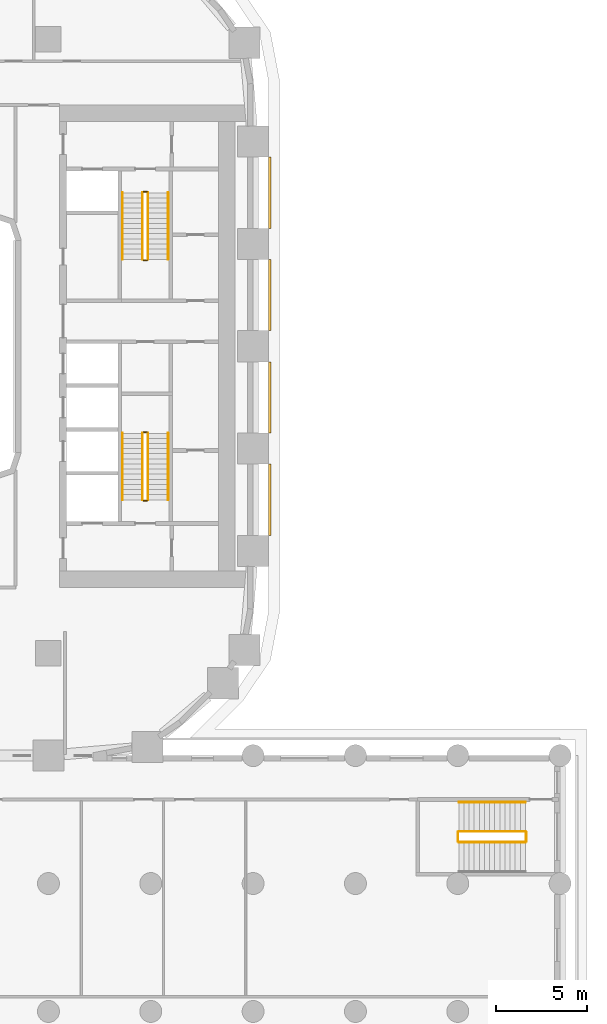
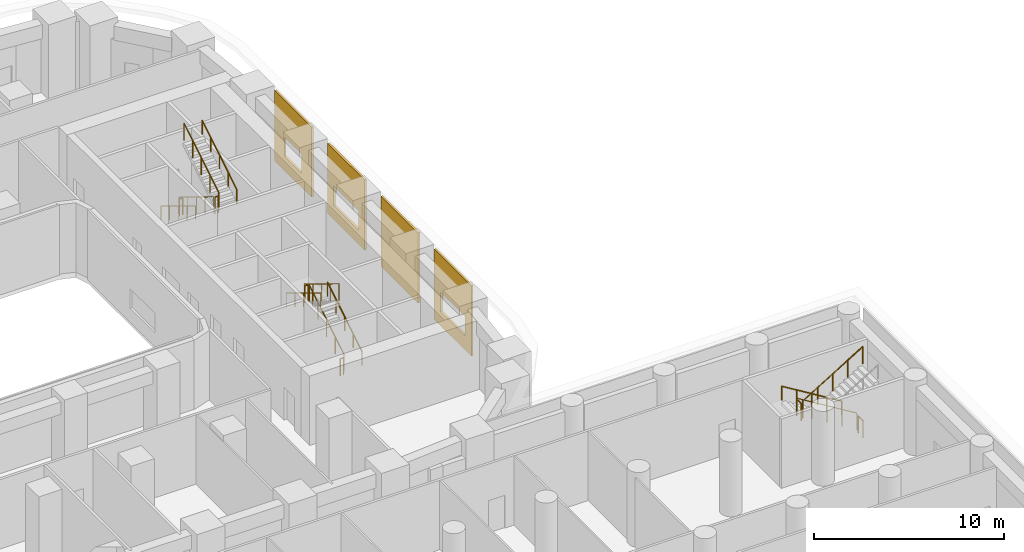
# One storey, part 26 of 27: 17 railings, 4 coverings.
"""IFC4 building model written with IfcOpenShell, lengths in metres."""

from ifc_helpers import new_model, si_unit, direction, frame, origin, origin_2d, place, context, subcontext, project, spatial, polyline, circle, outline, extrude, material, layer, layer_set, type_object, element, save


model = new_model("IFC4")

# Units and contexts
model_context = context("Model", 3, precision=1e-05, world=origin(), true_north=direction((0.0, 1.0)))
body_context = subcontext(model_context, "Body", "Model", "MODEL_VIEW")
ifc_project = project(units=[si_unit("LENGTHUNIT", "METRE"), si_unit("AREAUNIT", "SQUARE_METRE"), si_unit("VOLUMEUNIT", "CUBIC_METRE"), si_unit("PLANEANGLEUNIT", "RADIAN"), si_unit("MASSUNIT", "GRAM", prefix="KILO")], contexts=[model_context])

# Site, building, storey
site_placement = place(None, origin())
site = spatial("IfcSite", under=ifc_project, at=site_placement, CompositionType="ELEMENT")
building_placement = place(site_placement, origin())
building = spatial("IfcBuilding", under=site, at=building_placement, Name="Kiln Ring Residences", CompositionType="ELEMENT")
storey_placement = place(building_placement, frame((0.0, 0.0, 6.5)))
storey = spatial("IfcBuildingStorey", under=building, at=storey_placement, Name="L01", CompositionType="ELEMENT", Elevation=6.5)

# Railings
ifc_material_1 = material(Name="Stainless steel", Category="steel")
railing_type_1 = type_object("IfcRailingType", Name="CORE-STAIR-GUARD", PredefinedType="GUARDRAIL", material=ifc_material_1)
railing_1_placement = place(storey_placement, frame((21.949951171875, 8.39990234375, 0.17138671875)))
element("IfcRailing", 1, at=railing_1_placement, inside=storey, type_object=railing_type_1, Name="L01 E-STN stair guard 1", PredefinedType="GUARDRAIL", context=body_context, shape_type="SweptSolid", body=[
    extrude(circle(Radius=0.02392578125, at=origin_2d()), frame((0.0, 0.0, 1.076171875), z_axis=(0.0, -0.852850264322, 0.5221555579), x_axis=(1.0, 0.0, 0.0)), (0.0, 0.0, 1.0), 4.267822265625),
    extrude(circle(Radius=0.02099609375, at=origin_2d()), origin(), (0.0, 0.0, 1.0), 1.052001953125),
    extrude(circle(Radius=0.02099609375, at=origin_2d()), frame((0.0, -0.909912109375, 0.55712890625)), (0.0, 0.0, 1.0), 1.052001953125),
    extrude(circle(Radius=0.02099609375, at=origin_2d()), frame((0.0, -1.81982421875, 1.1142578125)), (0.0, 0.0, 1.0), 1.052001953125),
    extrude(circle(Radius=0.02099609375, at=origin_2d()), frame((0.0, -2.72998046875, 1.67138671875)), (0.0, 0.0, 1.0), 1.052001953125),
    extrude(circle(Radius=0.02099609375, at=origin_2d()), frame((0.0, -3.639892578125, 2.228515625)), (0.0, 0.0, 1.0), 1.052001953125),
])
railing_2_placement = place(storey_placement, frame((22.0, 4.7099609375, 2.39990234375)))
element("IfcRailing", 2, at=railing_2_placement, inside=storey, type_object=railing_type_1, Name="L01 E-STN stair guard 2", PredefinedType="GUARDRAIL", context=body_context, shape_type="SweptSolid", body=[
    extrude(circle(Radius=0.02392578125, at=origin_2d()), frame((0.0, 0.0, 1.076171875), z_axis=(1.0, 0.0, 0.0), x_axis=(0.0, 1.0, 0.0)), (0.0, 0.0, 1.0), 0.199951171875),
    extrude(circle(Radius=0.02099609375, at=origin_2d()), origin(), (0.0, 0.0, 1.0), 1.052001953125),
    extrude(circle(Radius=0.02099609375, at=origin_2d()), frame((0.199951171875, 0.0, 0.0)), (0.0, 0.0, 1.0), 1.052001953125),
])
railing_3_placement = place(storey_placement, frame((22.25, 4.760009765625, 2.571533203125)))
element("IfcRailing", 3, at=railing_3_placement, inside=storey, type_object=railing_type_1, Name="L01 E-STN stair guard 3", PredefinedType="GUARDRAIL", context=body_context, shape_type="SweptSolid", body=[
    extrude(circle(Radius=0.02392578125, at=origin_2d()), frame((0.0, 0.0, 1.076171875), z_axis=(0.0, 0.852850264322, 0.5221555579), x_axis=(-1.0, 0.0, 0.0)), (0.0, 0.0, 1.0), 4.267822265625),
    extrude(circle(Radius=0.02099609375, at=origin_2d()), origin(), (0.0, 0.0, 1.0), 1.052001953125),
    extrude(circle(Radius=0.02099609375, at=origin_2d()), frame((0.0, 0.909912109375, 0.55712890625)), (0.0, 0.0, 1.0), 1.052001953125),
    extrude(circle(Radius=0.02099609375, at=origin_2d()), frame((0.0, 1.81982421875, 1.1142578125)), (0.0, 0.0, 1.0), 1.052001953125),
    extrude(circle(Radius=0.02099609375, at=origin_2d()), frame((0.0, 2.72998046875, 1.67138671875)), (0.0, 0.0, 1.0), 1.052001953125),
    extrude(circle(Radius=0.02099609375, at=origin_2d()), frame((0.0, 3.639892578125, 2.228515625)), (0.0, 0.0, 1.0), 1.052001953125),
])
railing_4_placement = place(storey_placement, frame((22.0, 8.449951171875, 0.0)))
element("IfcRailing", 4, at=railing_4_placement, inside=storey, type_object=railing_type_1, Name="L01 E-STN stair guard 4", PredefinedType="GUARDRAIL", context=body_context, shape_type="SweptSolid", body=[
    extrude(circle(Radius=0.02392578125, at=origin_2d()), frame((0.0, 0.0, 1.076171875), z_axis=(1.0, 0.0, 0.0), x_axis=(0.0, 1.0, 0.0)), (0.0, 0.0, 1.0), 0.199951171875),
    extrude(circle(Radius=0.02099609375, at=origin_2d()), origin(), (0.0, 0.0, 1.0), 1.052001953125),
    extrude(circle(Radius=0.02099609375, at=origin_2d()), frame((0.199951171875, 0.0, 0.0)), (0.0, 0.0, 1.0), 1.052001953125),
])
railing_5_placement = place(storey_placement, frame((22.25, -8.39990234375, 0.17138671875)))
element("IfcRailing", 5, at=railing_5_placement, inside=storey, type_object=railing_type_1, Name="L01 E-STS stair guard 1", PredefinedType="GUARDRAIL", context=body_context, shape_type="SweptSolid", body=[
    extrude(circle(Radius=0.02392578125, at=origin_2d()), frame((0.0, 0.0, 1.076171875), z_axis=(0.0, 0.852850264322, 0.5221555579), x_axis=(-1.0, 0.0, 0.0)), (0.0, 0.0, 1.0), 4.267822265625),
    extrude(circle(Radius=0.02099609375, at=origin_2d()), origin(), (0.0, 0.0, 1.0), 1.052001953125),
    extrude(circle(Radius=0.02099609375, at=origin_2d()), frame((0.0, 0.909912109375, 0.55712890625)), (0.0, 0.0, 1.0), 1.052001953125),
    extrude(circle(Radius=0.02099609375, at=origin_2d()), frame((0.0, 1.81982421875, 1.1142578125)), (0.0, 0.0, 1.0), 1.052001953125),
    extrude(circle(Radius=0.02099609375, at=origin_2d()), frame((0.0, 2.72998046875, 1.67138671875)), (0.0, 0.0, 1.0), 1.052001953125),
    extrude(circle(Radius=0.02099609375, at=origin_2d()), frame((0.0, 3.639892578125, 2.228515625)), (0.0, 0.0, 1.0), 1.052001953125),
])
railing_6_placement = place(storey_placement, frame((22.199951171875, -4.7099609375, 2.39990234375)))
element("IfcRailing", 6, at=railing_6_placement, inside=storey, type_object=railing_type_1, Name="L01 E-STS stair guard 2", PredefinedType="GUARDRAIL", context=body_context, shape_type="SweptSolid", body=[
    extrude(circle(Radius=0.02392578125, at=origin_2d()), frame((0.0, 0.0, 1.076171875), z_axis=(-1.0, 0.0, 0.0), x_axis=(0.0, -1.0, 0.0)), (0.0, 0.0, 1.0), 0.199951171875),
    extrude(circle(Radius=0.02099609375, at=origin_2d()), origin(), (0.0, 0.0, 1.0), 1.052001953125),
    extrude(circle(Radius=0.02099609375, at=origin_2d()), frame((-0.199951171875, 0.0, 0.0)), (0.0, 0.0, 1.0), 1.052001953125),
])
railing_7_placement = place(storey_placement, frame((21.949951171875, -4.760009765625, 2.571533203125)))
element("IfcRailing", 7, at=railing_7_placement, inside=storey, type_object=railing_type_1, Name="L01 E-STS stair guard 3", PredefinedType="GUARDRAIL", context=body_context, shape_type="SweptSolid", body=[
    extrude(circle(Radius=0.02392578125, at=origin_2d()), frame((0.0, 0.0, 1.076171875), z_axis=(0.0, -0.852850264322, 0.5221555579), x_axis=(1.0, 0.0, 0.0)), (0.0, 0.0, 1.0), 4.267822265625),
    extrude(circle(Radius=0.02099609375, at=origin_2d()), origin(), (0.0, 0.0, 1.0), 1.052001953125),
    extrude(circle(Radius=0.02099609375, at=origin_2d()), frame((0.0, -0.909912109375, 0.55712890625)), (0.0, 0.0, 1.0), 1.052001953125),
    extrude(circle(Radius=0.02099609375, at=origin_2d()), frame((0.0, -1.81982421875, 1.1142578125)), (0.0, 0.0, 1.0), 1.052001953125),
    extrude(circle(Radius=0.02099609375, at=origin_2d()), frame((0.0, -2.72998046875, 1.67138671875)), (0.0, 0.0, 1.0), 1.052001953125),
    extrude(circle(Radius=0.02099609375, at=origin_2d()), frame((0.0, -3.639892578125, 2.228515625)), (0.0, 0.0, 1.0), 1.052001953125),
])
railing_8_placement = place(storey_placement, frame((22.199951171875, -8.449951171875, 0.0)))
element("IfcRailing", 8, at=railing_8_placement, inside=storey, type_object=railing_type_1, Name="L01 E-STS stair guard 4", PredefinedType="GUARDRAIL", context=body_context, shape_type="SweptSolid", body=[
    extrude(circle(Radius=0.02392578125, at=origin_2d()), frame((0.0, 0.0, 1.076171875), z_axis=(-1.0, 0.0, 0.0), x_axis=(0.0, -1.0, 0.0)), (0.0, 0.0, 1.0), 0.199951171875),
    extrude(circle(Radius=0.02099609375, at=origin_2d()), origin(), (0.0, 0.0, 1.0), 1.052001953125),
    extrude(circle(Radius=0.02099609375, at=origin_2d()), frame((-0.199951171875, 0.0, 0.0)), (0.0, 0.0, 1.0), 1.052001953125),
])
ifc_material_2 = material(Name="Stainless steel", Category="steel")
railing_type_2 = type_object("IfcRailingType", Name="CORE-STAIR-HANDRAIL", PredefinedType="HANDRAIL", material=ifc_material_2)
railing_9_placement = place(storey_placement, frame((20.85009765625, 8.39990234375, 0.17138671875)))
element("IfcRailing", 9, at=railing_9_placement, inside=storey, type_object=railing_type_2, Name="L01 E-STN stair handrail 1", PredefinedType="HANDRAIL", context=body_context, shape_type="SweptSolid", body=[
    extrude(circle(Radius=0.02392578125, at=origin_2d()), frame((0.0, 0.0, 0.8759765625), z_axis=(0.0, -0.852850264322, 0.5221555579), x_axis=(1.0, 0.0, 0.0)), (0.0, 0.0, 1.0), 4.267822265625),
    extrude(circle(Radius=0.02099609375, at=origin_2d()), origin(), (0.0, 0.0, 1.0), 0.851806640625),
    extrude(circle(Radius=0.02099609375, at=origin_2d()), frame((0.0, -0.909912109375, 0.55712890625)), (0.0, 0.0, 1.0), 0.851806640625),
    extrude(circle(Radius=0.02099609375, at=origin_2d()), frame((0.0, -1.81982421875, 1.1142578125)), (0.0, 0.0, 1.0), 0.851806640625),
    extrude(circle(Radius=0.02099609375, at=origin_2d()), frame((0.0, -2.72998046875, 1.67138671875)), (0.0, 0.0, 1.0), 0.851806640625),
    extrude(circle(Radius=0.02099609375, at=origin_2d()), frame((0.0, -3.639892578125, 2.228515625)), (0.0, 0.0, 1.0), 0.851806640625),
])
for number, where, name in (
    (10, (23.35009765625, 4.760009765625, 2.571533203125), "L01 E-STN stair handrail 2"),
    (11, (23.35009765625, -8.39990234375, 0.17138671875), "L01 E-STS stair handrail 1"),
):
    element("IfcRailing", number, at=place(storey_placement, frame(where)), inside=storey, type_object=railing_type_2, Name=name, PredefinedType="HANDRAIL", context=body_context, shape_type="SweptSolid", body=[
        extrude(circle(Radius=0.02392578125, at=origin_2d()), frame((0.0, 0.0, 0.8759765625), z_axis=(0.0, 0.852850264322, 0.5221555579), x_axis=(-1.0, 0.0, 0.0)), (0.0, 0.0, 1.0), 4.267822265625),
        extrude(circle(Radius=0.02099609375, at=origin_2d()), origin(), (0.0, 0.0, 1.0), 0.851806640625),
        extrude(circle(Radius=0.02099609375, at=origin_2d()), frame((0.0, 0.909912109375, 0.55712890625)), (0.0, 0.0, 1.0), 0.851806640625),
        extrude(circle(Radius=0.02099609375, at=origin_2d()), frame((0.0, 1.81982421875, 1.1142578125)), (0.0, 0.0, 1.0), 0.851806640625),
        extrude(circle(Radius=0.02099609375, at=origin_2d()), frame((0.0, 2.72998046875, 1.67138671875)), (0.0, 0.0, 1.0), 0.851806640625),
        extrude(circle(Radius=0.02099609375, at=origin_2d()), frame((0.0, 3.639892578125, 2.228515625)), (0.0, 0.0, 1.0), 0.851806640625),
    ])
railing_10_placement = place(storey_placement, frame((20.85009765625, -4.760009765625, 2.571533203125)))
element("IfcRailing", 12, at=railing_10_placement, inside=storey, type_object=railing_type_2, Name="L01 E-STS stair handrail 2", PredefinedType="HANDRAIL", context=body_context, shape_type="SweptSolid", body=[
    extrude(circle(Radius=0.02392578125, at=origin_2d()), frame((0.0, 0.0, 0.8759765625), z_axis=(0.0, -0.852850264322, 0.5221555579), x_axis=(1.0, 0.0, 0.0)), (0.0, 0.0, 1.0), 4.267822265625),
    extrude(circle(Radius=0.02099609375, at=origin_2d()), origin(), (0.0, 0.0, 1.0), 0.851806640625),
    extrude(circle(Radius=0.02099609375, at=origin_2d()), frame((0.0, -0.909912109375, 0.55712890625)), (0.0, 0.0, 1.0), 0.851806640625),
    extrude(circle(Radius=0.02099609375, at=origin_2d()), frame((0.0, -1.81982421875, 1.1142578125)), (0.0, 0.0, 1.0), 0.851806640625),
    extrude(circle(Radius=0.02099609375, at=origin_2d()), frame((0.0, -2.72998046875, 1.67138671875)), (0.0, 0.0, 1.0), 0.851806640625),
    extrude(circle(Radius=0.02099609375, at=origin_2d()), frame((0.0, -3.639892578125, 2.228515625)), (0.0, 0.0, 1.0), 0.851806640625),
])
ifc_material_3 = material(Name="Stainless steel", Category="steel")
railing_type_3 = type_object("IfcRailingType", Name="PODIUM-STAIR-GUARD", PredefinedType="GUARDRAIL", material=ifc_material_3)
railing_11_placement = place(storey_placement, frame((42.89990234375, -26.550048828125, 0.17138671875)))
element("IfcRailing", 13, at=railing_11_placement, inside=storey, type_object=railing_type_3, Name="L01 PS-E stair guard 1", PredefinedType="GUARDRAIL", context=body_context, shape_type="SweptSolid", body=[
    extrude(circle(Radius=0.02392578125, at=origin_2d()), frame((0.0, 0.0, 1.076171875), z_axis=(-0.852850264322, 0.0, 0.5221555579), x_axis=(0.0, -1.0, 0.0)), (0.0, 0.0, 1.0), 4.267822265625),
    extrude(circle(Radius=0.02099609375, at=origin_2d()), origin(), (0.0, 0.0, 1.0), 1.052001953125),
    extrude(circle(Radius=0.02099609375, at=origin_2d()), frame((-0.909912109375, 0.0, 0.55712890625)), (0.0, 0.0, 1.0), 1.052001953125),
    extrude(circle(Radius=0.02099609375, at=origin_2d()), frame((-1.81982421875, 0.0, 1.1142578125)), (0.0, 0.0, 1.0), 1.052001953125),
    extrude(circle(Radius=0.02099609375, at=origin_2d()), frame((-2.72998046875, 0.0, 1.67138671875)), (0.0, 0.0, 1.0), 1.052001953125),
    extrude(circle(Radius=0.02099609375, at=origin_2d()), frame((-3.639892578125, 0.0, 2.228515625)), (0.0, 0.0, 1.0), 1.052001953125),
])
railing_12_placement = place(storey_placement, frame((39.2099609375, -26.60009765625, 2.39990234375)))
element("IfcRailing", 14, at=railing_12_placement, inside=storey, type_object=railing_type_3, Name="L01 PS-E stair guard 2", PredefinedType="GUARDRAIL", context=body_context, shape_type="SweptSolid", body=[
    extrude(circle(Radius=0.02392578125, at=origin_2d()), frame((0.0, 0.0, 1.076171875), z_axis=(0.0, -1.0, 0.0), x_axis=(1.0, 0.0, 0.0)), (0.0, 0.0, 1.0), 0.5),
    extrude(circle(Radius=0.02099609375, at=origin_2d()), origin(), (0.0, 0.0, 1.0), 1.052001953125),
    extrude(circle(Radius=0.02099609375, at=origin_2d()), frame((0.0, -0.5, 0.0)), (0.0, 0.0, 1.0), 1.052001953125),
])
railing_13_placement = place(storey_placement, frame((39.260009765625, -27.14990234375, 2.571533203125)))
element("IfcRailing", 15, at=railing_13_placement, inside=storey, type_object=railing_type_3, Name="L01 PS-E stair guard 3", PredefinedType="GUARDRAIL", context=body_context, shape_type="SweptSolid", body=[
    extrude(circle(Radius=0.02392578125, at=origin_2d()), frame((0.0, 0.0, 1.076171875), z_axis=(0.852850264322, 0.0, 0.5221555579), x_axis=(0.0, 1.0, 0.0)), (0.0, 0.0, 1.0), 4.267822265625),
    extrude(circle(Radius=0.02099609375, at=origin_2d()), origin(), (0.0, 0.0, 1.0), 1.052001953125),
    extrude(circle(Radius=0.02099609375, at=origin_2d()), frame((0.909912109375, 0.0, 0.55712890625)), (0.0, 0.0, 1.0), 1.052001953125),
    extrude(circle(Radius=0.02099609375, at=origin_2d()), frame((1.81982421875, 0.0, 1.1142578125)), (0.0, 0.0, 1.0), 1.052001953125),
    extrude(circle(Radius=0.02099609375, at=origin_2d()), frame((2.72998046875, 0.0, 1.67138671875)), (0.0, 0.0, 1.0), 1.052001953125),
    extrude(circle(Radius=0.02099609375, at=origin_2d()), frame((3.639892578125, 0.0, 2.228515625)), (0.0, 0.0, 1.0), 1.052001953125),
])
railing_14_placement = place(storey_placement, frame((42.949951171875, -26.60009765625, 0.0)))
element("IfcRailing", 16, at=railing_14_placement, inside=storey, type_object=railing_type_3, Name="L01 PS-E stair guard 4", PredefinedType="GUARDRAIL", context=body_context, shape_type="SweptSolid", body=[
    extrude(circle(Radius=0.02392578125, at=origin_2d()), frame((0.0, 0.0, 1.076171875), z_axis=(0.0, -1.0, 0.0), x_axis=(1.0, 0.0, 0.0)), (0.0, 0.0, 1.0), 0.5),
    extrude(circle(Radius=0.02099609375, at=origin_2d()), origin(), (0.0, 0.0, 1.0), 1.052001953125),
    extrude(circle(Radius=0.02099609375, at=origin_2d()), frame((0.0, -0.5, 0.0)), (0.0, 0.0, 1.0), 1.052001953125),
])
ifc_material_4 = material(Name="Stainless steel", Category="steel")
railing_type_4 = type_object("IfcRailingType", Name="PODIUM-STAIR-HANDRAIL", PredefinedType="HANDRAIL", material=ifc_material_4)
railing_15_placement = place(storey_placement, frame((42.89990234375, -24.949951171875, 0.17138671875)))
element("IfcRailing", 17, at=railing_15_placement, inside=storey, type_object=railing_type_4, Name="L01 PS-E stair handrail 1", PredefinedType="HANDRAIL", context=body_context, shape_type="SweptSolid", body=[
    extrude(circle(Radius=0.02392578125, at=origin_2d()), frame((0.0, 0.0, 0.8759765625), z_axis=(-0.852850264322, 0.0, 0.5221555579), x_axis=(0.0, -1.0, 0.0)), (0.0, 0.0, 1.0), 4.267822265625),
    extrude(circle(Radius=0.02099609375, at=origin_2d()), origin(), (0.0, 0.0, 1.0), 0.851806640625),
    extrude(circle(Radius=0.02099609375, at=origin_2d()), frame((-0.909912109375, 0.0, 0.55712890625)), (0.0, 0.0, 1.0), 0.851806640625),
    extrude(circle(Radius=0.02099609375, at=origin_2d()), frame((-1.81982421875, 0.0, 1.1142578125)), (0.0, 0.0, 1.0), 0.851806640625),
    extrude(circle(Radius=0.02099609375, at=origin_2d()), frame((-2.72998046875, 0.0, 1.67138671875)), (0.0, 0.0, 1.0), 0.851806640625),
    extrude(circle(Radius=0.02099609375, at=origin_2d()), frame((-3.639892578125, 0.0, 2.228515625)), (0.0, 0.0, 1.0), 0.851806640625),
])

# Coverings
ifc_material_5 = material(Name="Brick masonry, dark clay brick", Category="masonry")
ifc_layer = layer(ifc_material_5, 0.1201171875)
ifc_layer_set = layer_set([ifc_layer], Name="RAINSCREEN PANEL 120")
covering_type = type_object("IfcCoveringType", Name="RAINSCREEN PANEL 120", PredefinedType="CLADDING", material=ifc_layer_set)
covering_1_placement = place(storey_placement, frame((28.909912109375, -10.35009765625, 0.0), z_axis=(0.0, 0.0, 1.0), x_axis=(0.0, 1.0, 0.0)))
element("IfcCovering", 18, at=covering_1_placement, inside=storey, type_object=covering_type, Name="RAINSCREEN L01", PredefinedType="CLADDING", context=body_context, shape_type="SweptSolid", body=[
    extrude(outline(polyline([(0.0, 0.0), (3.89990234375, 0.0), (3.89990234375, 4.5), (0.0, 4.5), (0.0, 0.0)]), holes=[polyline([(0.64990234375, 2.14990234375), (0.64990234375, 0.89990234375), (3.25, 0.89990234375), (3.25, 2.14990234375), (0.64990234375, 2.14990234375)])]), frame((0.0, 0.06005859375, 0.0), z_axis=(0.0, -1.0, 0.0), x_axis=(1.0, 0.0, 0.0)), (0.0, 0.0, 1.0), 0.1201171875),
])
covering_2_placement = place(storey_placement, frame((28.909912109375, -4.75, 0.0), z_axis=(0.0, 0.0, 1.0), x_axis=(0.0, 1.0, 0.0)))
element("IfcCovering", 19, at=covering_2_placement, inside=storey, type_object=covering_type, Name="RAINSCREEN L01", PredefinedType="CLADDING", context=body_context, shape_type="SweptSolid", body=[
    extrude(outline(polyline([(0.0, 0.0), (3.89990234375, 0.0), (3.89990234375, 4.5), (0.0, 4.5), (0.0, 0.0)])), frame((0.0, 0.06005859375, 0.0), z_axis=(0.0, -1.0, 0.0), x_axis=(1.0, 0.0, 0.0)), (0.0, 0.0, 1.0), 0.1201171875),
])
covering_3_placement = place(storey_placement, frame((28.909912109375, 0.85009765625, 0.0), z_axis=(0.0, 0.0, 1.0), x_axis=(0.0, 1.0, 0.0)))
element("IfcCovering", 20, at=covering_3_placement, inside=storey, type_object=covering_type, Name="RAINSCREEN L01", PredefinedType="CLADDING", context=body_context, shape_type="SweptSolid", body=[
    extrude(outline(polyline([(0.0, 0.0), (3.89990234375, 0.0), (3.89990234375, 4.5), (0.0, 4.5), (0.0, 0.0)]), holes=[polyline([(0.64990234375, 2.14990234375), (0.64990234375, 0.89990234375), (3.25, 0.89990234375), (3.25, 2.14990234375), (0.64990234375, 2.14990234375)])]), frame((0.0, 0.06005859375, 0.0), z_axis=(0.0, -1.0, 0.0), x_axis=(1.0, 0.0, 0.0)), (0.0, 0.0, 1.0), 0.1201171875),
])
covering_4_placement = place(storey_placement, frame((28.909912109375, 6.449951171875, 0.0), z_axis=(0.0, 0.0, 1.0), x_axis=(0.0, 1.0, 0.0)))
element("IfcCovering", 21, at=covering_4_placement, inside=storey, type_object=covering_type, Name="RAINSCREEN L01", PredefinedType="CLADDING", context=body_context, shape_type="SweptSolid", body=[
    extrude(outline(polyline([(0.0, 0.0), (3.89990234375, 0.0), (3.89990234375, 4.5), (0.0, 4.5), (0.0, 0.0)]), holes=[polyline([(1.050048828125, 2.14990234375), (1.050048828125, 0.89990234375), (2.85009765625, 0.89990234375), (2.85009765625, 2.14990234375), (1.050048828125, 2.14990234375)])]), frame((0.0, 0.06005859375, 0.0), z_axis=(0.0, -1.0, 0.0), x_axis=(1.0, 0.0, 0.0)), (0.0, 0.0, 1.0), 0.1201171875),
])

save(model, "model.ifc")
